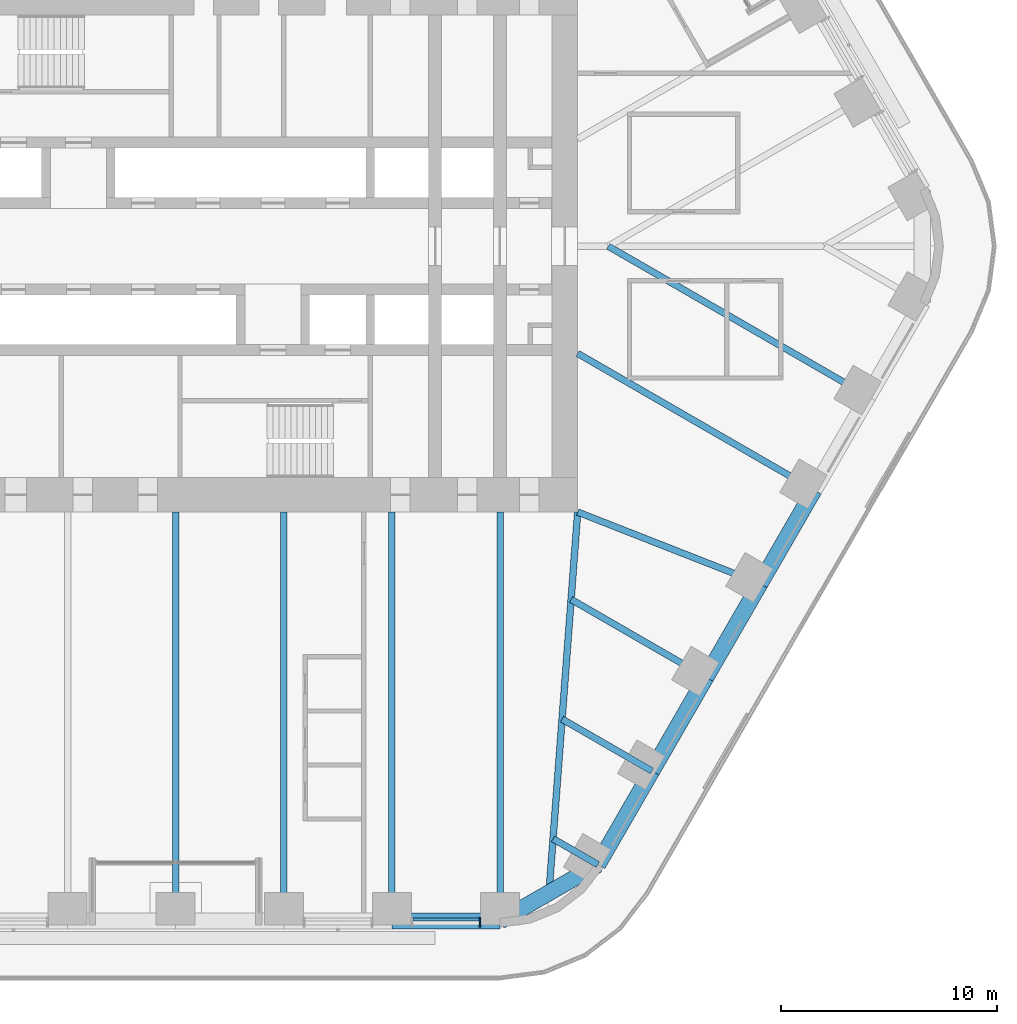
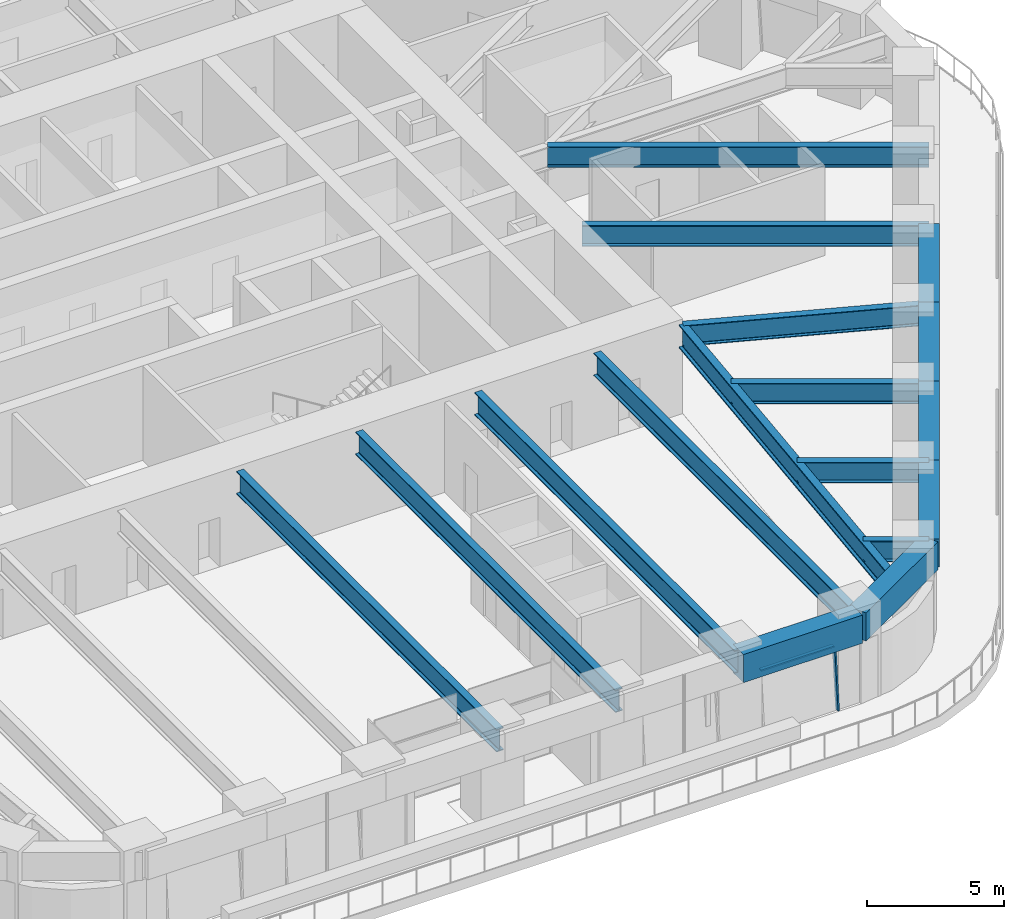
# One storey, part 5 of 24: 17 beams, 2 members, 1 element without a shape of its own.
"""IFC4 building model written with IfcOpenShell, lengths in metres."""

import ifcopenshell
import ifcopenshell.guid

model = None  # the IFC model being written
_history = None  # IfcOwnerHistory: only IFC2X3 demands one
_inside = {}  # id of a spatial element -> (the spatial element, [elements in it])
_under = {}  # id of a project, library or spatial element -> (it, [spatial elements below it])
_declared = {}  # id of a project -> (the project, [libraries it declares])
_typed = {}  # id of a type object -> (the type object, [elements of that type])
_made_of = {}  # id of a material, layer set ... -> (it, [elements and type objects made of it])


def new_model(schema):
    """Start an empty IFC model of exactly this schema.

    Asked for "IFC4X3", IfcOpenShell would pick the latest addendum, in which some entities
    have other attributes; the version numbers below select the first issue.
    IFC2X3 requires an IfcOwnerHistory on every rooted entity: one is made here for all.
    """
    global model, _history
    if schema == "IFC4X3":
        model = ifcopenshell.file(schema_version=(4, 3, 0, 0))
    else:
        model = ifcopenshell.file(schema=schema)
    _inside.clear()
    _under.clear()
    _declared.clear()
    _typed.clear()
    _made_of.clear()
    _history = None
    if model.schema == "IFC2X3":
        org = make("IfcOrganization", Name="unknown")
        user = make(
            "IfcPersonAndOrganization",
            ThePerson=make("IfcPerson", FamilyName="unknown"),
            TheOrganization=org,
        )
        app = make(
            "IfcApplication",
            ApplicationDeveloper=org,
            Version="unknown",
            ApplicationFullName="unknown",
            ApplicationIdentifier="unknown",
        )
        _history = make(
            "IfcOwnerHistory",
            OwningUser=user,
            OwningApplication=app,
            ChangeAction="ADDED",
            CreationDate=0,
        )
    return model


def make(cls, **values):
    """One entity of the class cls with the attributes given. An attribute that is None is left unset."""
    return model.create_entity(
        cls, **{name: value for name, value in values.items() if value is not None}
    )


def rooted(cls, **values):
    """An entity with a GlobalId (a new one), such as an element, a storey or a relation."""
    return make(cls, GlobalId=ifcopenshell.guid.new(), OwnerHistory=_history, **values)


def si_unit(unit_type, name, prefix=None):
    """IfcSIUnit, for example si_unit("LENGTHUNIT", "METRE", prefix="MILLI")."""
    return make("IfcSIUnit", UnitType=unit_type, Prefix=prefix, Name=name)


def assignment(units):
    """IfcUnitAssignment: the units of a project."""
    return None if units is None else make("IfcUnitAssignment", Units=units)


def point(xyz):
    """IfcCartesianPoint."""
    return None if xyz is None else make("IfcCartesianPoint", Coordinates=xyz)


def direction(xyz):
    """IfcDirection."""
    return None if xyz is None else make("IfcDirection", DirectionRatios=xyz)


def frame(location, z_axis=None, x_axis=None):
    """IfcAxis2Placement3D, a coordinate frame: its origin and axes. An axis left out is left unset."""
    return make(
        "IfcAxis2Placement3D",
        Location=point(location),
        Axis=direction(z_axis),
        RefDirection=direction(x_axis),
    )


def frame_2d(location, x_axis=None):
    """IfcAxis2Placement2D, a coordinate frame in the plane: its origin and x axis."""
    return make(
        "IfcAxis2Placement2D", Location=point(location), RefDirection=direction(x_axis)
    )


def origin():
    """The frame at (0, 0, 0) with its axes left unset."""
    return frame((0.0, 0.0, 0.0))


def origin_2d():
    """The frame at (0, 0) in the plane with its x axis left unset."""
    return frame_2d((0.0, 0.0))


def place(relative_to, where):
    """IfcLocalPlacement: puts the frame where relative to a parent placement (None: the world)."""
    return make(
        "IfcLocalPlacement", PlacementRelTo=relative_to, RelativePlacement=where
    )


def context(
    kind, dimensions, precision=None, world=None, true_north=None, identifier=None
):
    """IfcGeometricRepresentationContext, for example the 3D "Model" context."""
    return make(
        "IfcGeometricRepresentationContext",
        ContextIdentifier=identifier,
        ContextType=kind,
        CoordinateSpaceDimension=dimensions,
        Precision=precision,
        WorldCoordinateSystem=world,
        TrueNorth=true_north,
    )


def subcontext(parent, identifier, kind, view, scale=None):
    """IfcGeometricRepresentationSubContext, for example "Body" below "Model"."""
    return make(
        "IfcGeometricRepresentationSubContext",
        ContextIdentifier=identifier,
        ContextType=kind,
        ParentContext=parent,
        TargetScale=scale,
        TargetView=view,
    )


def project(units=None, contexts=None):
    """IfcProject with its units and contexts."""
    return rooted(
        "IfcProject",
        Name="project",
        RepresentationContexts=contexts,
        UnitsInContext=assignment(units),
    )


def spatial(cls, under=None, at=None, **own):
    """A site, building, storey or space (cls), placed at a placement, below another one or the project."""
    s = rooted(cls, ObjectPlacement=at, **own)
    if under is not None:
        _under.setdefault(under.id(), (under, []))[1].append(s)
    return s


def profile(cls, at=None, kind="AREA", **sizes):
    """A parametric profile (cls). Its sizes go by their IFC names, for example OverallWidth=200.0."""
    return make(cls, ProfileType=kind, Position=at, **sizes)


def rectangle(**sizes):
    """IfcRectangleProfileDef."""
    return profile("IfcRectangleProfileDef", **sizes)


def i_section(**sizes):
    """IfcIShapeProfileDef."""
    return profile("IfcIShapeProfileDef", **sizes)


def extrude(swept, where, along, depth):
    """IfcExtrudedAreaSolid: the profile swept, set in the frame where, extruded along a direction by depth."""
    return make(
        "IfcExtrudedAreaSolid",
        SweptArea=swept,
        Position=where,
        ExtrudedDirection=direction(along),
        Depth=depth,
    )


def shape(context_of_items, identifier, shape_type, items):
    """IfcShapeRepresentation: the items that make up one representation, for example the "Body"."""
    return make(
        "IfcShapeRepresentation",
        ContextOfItems=context_of_items,
        RepresentationIdentifier=identifier,
        RepresentationType=shape_type,
        Items=items,
    )


def material(Name=None, Category=None):
    """IfcMaterial."""
    return make("IfcMaterial", Name=Name, Category=Category)


def material_profile(
    of_material, cross_section, Name=None, Category=None, Priority=None
):
    """IfcMaterialProfile: a cross section and its material."""
    return make(
        "IfcMaterialProfile",
        Name=Name,
        Material=of_material,
        Profile=cross_section,
        Priority=Priority,
        Category=Category,
    )


def profile_set(profiles, Name=None, composite=None):
    """IfcMaterialProfileSet."""
    return make(
        "IfcMaterialProfileSet",
        Name=Name,
        MaterialProfiles=profiles,
        CompositeProfile=composite,
    )


def made_of(thing, what):
    """Note that an element or type object is made of a material, layer set ...; save() writes the relation."""
    if what is not None:
        _made_of.setdefault(what.id(), (what, []))[1].append(thing)
    return thing


def type_object(cls, material=None, **own):
    """A type object (cls), such as IfcWallType, which elements share."""
    return made_of(rooted(cls, **own), material)


def element(
    cls,
    number,
    at=None,
    inside=None,
    cuts=None,
    type_object=None,
    material=None,
    context=None,
    identifier="Body",
    shape_type=None,
    held_by="IfcProductDefinitionShape",
    body=None,
    shapes=None,
    **own,
):
    """One element of the class cls, such as IfcWall. Its Tag is "e" and its number.

    at: its placement. inside: the storey or other place that contains it. cuts: it is an
    opening in that element (IfcRelVoidsElement). A single representation is given by context,
    identifier, shape_type and body (its items); several are given by shapes. held_by: the class
    of the entity that holds the representations. save() writes the other relations.
    """
    e = rooted(cls, Tag="e%d" % number, ObjectPlacement=at, **own)
    if body is not None:
        shapes = [shape(context, identifier, shape_type, body)]
    if shapes is not None:
        e.Representation = make(held_by, Representations=shapes)
    if inside is not None:
        _inside.setdefault(inside.id(), (inside, []))[1].append(e)
    if cuts is not None:
        rooted(
            "IfcRelVoidsElement", RelatingBuildingElement=cuts, RelatedOpeningElement=e
        )
    if type_object is not None:
        _typed.setdefault(type_object.id(), (type_object, []))[1].append(e)
    return made_of(e, material)


def aggregate(whole, parts):
    """IfcRelAggregates: a whole, such as a stair, and the parts it consists of."""
    return rooted("IfcRelAggregates", RelatingObject=whole, RelatedObjects=parts)


def save(model, path):
    """Write the relations noted so far, then the file.

    IfcRelAggregates (storeys below a building ...), IfcRelContainedInSpatialStructure (elements
    in a storey), IfcRelDefinesByType, IfcRelAssociatesMaterial and IfcRelDeclares: one each for
    every whole, place, type object, material and project.
    """
    for whole, parts in _under.values():
        aggregate(whole, parts)
    for where, things in _inside.values():
        rooted(
            "IfcRelContainedInSpatialStructure",
            RelatedElements=things,
            RelatingStructure=where,
        )
    for kind, things in _typed.values():
        rooted("IfcRelDefinesByType", RelatedObjects=things, RelatingType=kind)
    for what, things in _made_of.values():
        rooted("IfcRelAssociatesMaterial", RelatedObjects=things, RelatingMaterial=what)
    for by, libraries in _declared.values():
        rooted("IfcRelDeclares", RelatingContext=by, RelatedDefinitions=libraries)
    model.write(path)


model = new_model("IFC4")

# Units and contexts
model_context = context("Model", 3, precision=1e-05, world=origin(), true_north=direction((0.0, 1.0)))
body_context = subcontext(model_context, "Body", "Model", "MODEL_VIEW")
ifc_project = project(units=[si_unit("LENGTHUNIT", "METRE"), si_unit("AREAUNIT", "SQUARE_METRE"), si_unit("VOLUMEUNIT", "CUBIC_METRE"), si_unit("PLANEANGLEUNIT", "RADIAN"), si_unit("MASSUNIT", "GRAM", prefix="KILO")], contexts=[model_context])

# Site, building, storey
site_placement = place(None, origin())
site = spatial("IfcSite", under=ifc_project, at=site_placement, CompositionType="ELEMENT")
building_placement = place(site_placement, origin())
building = spatial("IfcBuilding", under=site, at=building_placement, Name="Tarfa Lantern Tower", CompositionType="ELEMENT")
storey_placement = place(building_placement, frame((0.0, 0.0, 136.300048828125)))
storey = spatial("IfcBuildingStorey", under=building, at=storey_placement, Name="L30", CompositionType="ELEMENT", Elevation=136.300048828125)

# Curtain wall, members
ifc_material_1 = material(Name="Aluminium framed curtain wall", Category="aluminium")
curtain_wall_type = type_object("IfcCurtainWallType", Name="CW2 CANTED GLAZING MID ZONE 2750", PredefinedType="USERDEFINED", material=ifc_material_1)
curtain_wall_placement = place(storey_placement, origin())
curtain_wall = element("IfcCurtainWall", 1, at=curtain_wall_placement, inside=storey, type_object=curtain_wall_type, Name="CW2 SB L30", ObjectType="CURTAIN WALL", PredefinedType="USERDEFINED")
ifc_material_2 = material(Name="Aluminium mullion", Category="aluminium")
ifc_material_profile_1 = material_profile(ifc_material_2, rectangle(XDim=0.06494140625, YDim=0.199951171875, at=origin_2d()), Name="AL MULLION 65x200")
ifc_profile_set_1 = profile_set([ifc_material_profile_1], Name="Aluminium mullion")
member_type_1 = type_object("IfcMemberType", Name="CWM1 MULLION 65x200", PredefinedType="MULLION", material=ifc_profile_set_1)
member_1_placement = place(storey_placement, frame((14.07861328125, -31.39990234375, 0.0), z_axis=(0.0, 0.090535746043, 0.995893206468), x_axis=(-1.0, 0.0, 0.0)))
member_1 = element("IfcMember", 2, at=member_1_placement, type_object=member_type_1, Name="CW2 mullion 2", PredefinedType="MULLION", context=body_context, shape_type="SweptSolid", body=[
    extrude(rectangle(XDim=0.06494140625, YDim=0.199951171875, at=origin_2d()), origin(), (0.0, 0.0, 1.0), 2.76123046875),
])
ifc_material_3 = material(Name="Aluminium transom", Category="aluminium")
ifc_material_profile_2 = material_profile(ifc_material_3, rectangle(XDim=0.14990234375, YDim=0.06494140625, at=origin_2d()), Name="AL TRANSOM 150x65")
ifc_profile_set_2 = profile_set([ifc_material_profile_2], Name="Aluminium transom")
member_type_2 = type_object("IfcMemberType", Name="CWT1 TRANSOM 150x65", PredefinedType="USERDEFINED", material=ifc_profile_set_2)
member_2_placement = place(storey_placement, frame((10.972412109375, -31.153076171875, 2.717529296875), z_axis=(1.0, 0.0, 0.0), x_axis=(0.0, 1.0, 0.0)))
member_2 = element("IfcMember", 3, at=member_2_placement, type_object=member_type_2, Name="CW2 transom 1.2", ObjectType="TRANSOM", PredefinedType="USERDEFINED", context=body_context, shape_type="SweptSolid", body=[
    extrude(rectangle(XDim=0.14990234375, YDim=0.06494140625, at=origin_2d()), origin(), (0.0, 0.0, 1.0), 3.07373046875),
])
aggregate(curtain_wall, [member_1, member_2])

# Beams
ifc_material_4 = material(Name="Concrete C80/95", Category="concrete")
ifc_material_profile_3 = material_profile(ifc_material_4, rectangle(XDim=0.75, YDim=1.25, at=origin_2d()), Name="RC 750x1250")
ifc_profile_set_3 = profile_set([ifc_material_profile_3], Name="Concrete C80/95")
beam_type_1 = type_object("IfcBeamType", Name="EB2 RC 750x1250", PredefinedType="SPANDREL", material=ifc_profile_set_3)
beam_1_placement = place(storey_placement, frame((10.00732421875, -31.219970703125, 3.375), z_axis=(1.0, 0.0, 0.0), x_axis=(0.0, 1.0, 0.0)))
element("IfcBeam", 4, at=beam_1_placement, inside=storey, type_object=beam_type_1, Name="Edge beam S5", PredefinedType="SPANDREL", context=body_context, shape_type="SweptSolid", body=[
    extrude(rectangle(XDim=0.75, YDim=1.25, at=origin_2d()), origin(), (0.0, 0.0, 1.0), 5.003662109375),
])
beam_2_placement = place(storey_placement, frame((15.010986328125, -31.219970703125, 3.375), z_axis=(0.86604150238, 0.499972115377, 0.0), x_axis=(-0.499972115377, 0.86604150238, 0.0)))
element("IfcBeam", 5, at=beam_2_placement, inside=storey, type_object=beam_type_1, Name="Edge beam S6", PredefinedType="SPANDREL", context=body_context, shape_type="SweptSolid", body=[
    extrude(rectangle(XDim=0.75, YDim=1.25, at=origin_2d()), origin(), (0.0, 0.0, 1.0), 5.219970703125),
])
beam_3_placement = place(storey_placement, frame((19.53173828125, -28.610107421875, 3.375), z_axis=(0.500001197378, 0.866024712477, 0.0), x_axis=(-0.866024712477, 0.500001197378, 0.0)))
element("IfcBeam", 6, at=beam_3_placement, inside=storey, type_object=beam_type_1, Name="Edge beam SE0", PredefinedType="SPANDREL", context=body_context, shape_type="SweptSolid", body=[
    extrude(rectangle(XDim=0.75, YDim=1.25, at=origin_2d()), origin(), (0.0, 0.0, 1.0), 5.00390625),
])
for number, where, z_axis, x_axis, name in (
    (7, (22.03369140625, -24.276611328125, 3.375), (0.49998573051, 0.866033642122, 0.0), (-0.866033642122, 0.49998573051, 0.0), "Edge beam SE1"),
    (8, (24.535400390625, -19.943359375, 3.375), (0.500022324899, 0.866012514114, 0.0), (-0.866012514114, 0.500022324899, 0.0), "Edge beam SE2"),
    (9, (27.037353515625, -15.610107421875, 3.375), (0.499964603504, 0.866045838996, 0.0), (-0.866045838996, 0.499964603504, 0.0), "Edge beam SE3"),
):
    element("IfcBeam", number, at=place(storey_placement, frame(where, z_axis=z_axis, x_axis=x_axis)), inside=storey, type_object=beam_type_1, Name=name, PredefinedType="SPANDREL", context=body_context, shape_type="SweptSolid", body=[
        extrude(rectangle(XDim=0.75, YDim=1.25, at=origin_2d()), origin(), (0.0, 0.0, 1.0), 5.003662109375),
    ])
ifc_material_5 = material(Name="Steel S460M", Category="steel")
ifc_material_profile_4 = material_profile(ifc_material_5, i_section(OverallWidth=0.302001953125, OverallDepth=1.008056640625, WebThickness=0.02099609375, FlangeThickness=0.0400390625, FilletRadius=0.030029296875, at=origin_2d()), Name="UB1016x305x349")
ifc_profile_set_4 = profile_set([ifc_material_profile_4], Name="Steel S460M")
beam_type_2 = type_object("IfcBeamType", Name="UB1016x305x349", PredefinedType="BEAM", material=ifc_profile_set_4)
for number, where, z_axis, x_axis, name in (
    (10, (0.0, -31.219970703125, 3.495849609375), (0.0, 1.0, 0.0), (-1.0, 0.0, 0.0), "Floor beam S3"),
    (11, (5.003662109375, -31.219970703125, 3.495849609375), (0.0, 1.0, 0.0), (-1.0, 0.0, 0.0), "Floor beam S4"),
    (12, (10.00732421875, -31.219970703125, 3.495849609375), (0.0, 1.0, 0.0), (-1.0, 0.0, 0.0), "Floor beam S5"),
    (13, (15.010986328125, -31.219970703125, 3.495849609375), (0.0, 1.0, 0.0), (-1.0, 0.0, 0.0), "Floor beam S6"),
):
    element("IfcBeam", number, at=place(storey_placement, frame(where, z_axis=z_axis, x_axis=x_axis)), inside=storey, type_object=beam_type_2, Name=name, PredefinedType="BEAM", context=body_context, shape_type="SweptSolid", body=[
        extrude(i_section(OverallWidth=0.302001953125, OverallDepth=1.008056640625, WebThickness=0.02099609375, FlangeThickness=0.0400390625, FilletRadius=0.030029296875, at=origin_2d()), origin(), (0.0, 0.0, 1.0), 18.919921875),
    ])
ifc_material_profile_5 = material_profile(ifc_material_5, i_section(OverallWidth=0.30859375, OverallDepth=1.036376953125, WebThickness=0.030029296875, FlangeThickness=0.05419921875, FilletRadius=0.030029296875, at=origin_2d()), Name="UB1016x305x487")
ifc_profile_set_5 = profile_set([ifc_material_profile_5], Name="Steel S460M")
beam_type_3 = type_object("IfcBeamType", Name="UB1016x305x487", PredefinedType="BEAM", material=ifc_profile_set_5)
beam_4_placement = place(storey_placement, frame((18.60009765625, -12.300048828125, 3.481689453125), z_axis=(-0.075211516041, -0.99716760269, 0.0), x_axis=(0.99716760269, -0.075211516041, 0.0)))
element("IfcBeam", 14, at=beam_4_placement, inside=storey, type_object=beam_type_3, Name="Hip girder SE", PredefinedType="BEAM", context=body_context, shape_type="SweptSolid", body=[
    extrude(i_section(OverallWidth=0.30859375, OverallDepth=1.036376953125, WebThickness=0.030029296875, FlangeThickness=0.05419921875, FilletRadius=0.030029296875, at=origin_2d()), origin(), (0.0, 0.0, 1.0), 17.6650390625),
])
ifc_material_profile_6 = material_profile(ifc_material_5, i_section(OverallWidth=0.305419921875, OverallDepth=0.91845703125, WebThickness=0.017333984375, FlangeThickness=0.02783203125, FilletRadius=0.01904296875, at=origin_2d()), Name="UB914x305x253")
ifc_profile_set_6 = profile_set([ifc_material_profile_6], Name="Steel S460M")
beam_type_4 = type_object("IfcBeamType", Name="UB914x305x253", PredefinedType="BEAM", material=ifc_profile_set_6)
beam_5_placement = place(storey_placement, frame((19.53173828125, -28.610107421875, 3.540771484375), z_axis=(-0.865998640954, 0.500046351717, 0.0), x_axis=(-0.500046351717, -0.865998640954, 0.0)))
element("IfcBeam", 15, at=beam_5_placement, inside=storey, type_object=beam_type_4, Name="Floor beam SE0", PredefinedType="BEAM", context=body_context, shape_type="SweptSolid", body=[
    extrude(i_section(OverallWidth=0.305419921875, OverallDepth=0.91845703125, WebThickness=0.017333984375, FlangeThickness=0.02783203125, FilletRadius=0.01904296875, at=origin_2d()), origin(), (0.0, 0.0, 1.0), 2.392333984375),
])
beam_6_placement = place(storey_placement, frame((22.03369140625, -24.276611328125, 3.540771484375), z_axis=(-0.866030550462, 0.499991085587, 0.0), x_axis=(-0.499991085587, -0.866030550462, 0.0)))
element("IfcBeam", 16, at=beam_6_placement, inside=storey, type_object=beam_type_4, Name="Floor beam SE1", PredefinedType="BEAM", context=body_context, shape_type="SweptSolid", body=[
    extrude(i_section(OverallWidth=0.305419921875, OverallDepth=0.91845703125, WebThickness=0.017333984375, FlangeThickness=0.02783203125, FilletRadius=0.01904296875, at=origin_2d()), origin(), (0.0, 0.0, 1.0), 4.798828125),
])
beam_7_placement = place(storey_placement, frame((24.535400390625, -19.943359375, 3.540771484375), z_axis=(-0.86602647304, 0.499998147991, 0.0), x_axis=(-0.499998147991, -0.86602647304, 0.0)))
element("IfcBeam", 17, at=beam_7_placement, inside=storey, type_object=beam_type_4, Name="Floor beam SE2", PredefinedType="BEAM", context=body_context, shape_type="SweptSolid", body=[
    extrude(i_section(OverallWidth=0.305419921875, OverallDepth=0.91845703125, WebThickness=0.017333984375, FlangeThickness=0.02783203125, FilletRadius=0.01904296875, at=origin_2d()), origin(), (0.0, 0.0, 1.0), 7.20556640625),
])
beam_8_placement = place(storey_placement, frame((27.037353515625, -15.610107421875, 3.540771484375), z_axis=(-0.930923282782, 0.365214788274, 0.0), x_axis=(-0.365214788274, -0.930923282782, 0.0)))
element("IfcBeam", 18, at=beam_8_placement, inside=storey, type_object=beam_type_4, Name="Floor beam SE3", PredefinedType="BEAM", context=body_context, shape_type="SweptSolid", body=[
    extrude(i_section(OverallWidth=0.305419921875, OverallDepth=0.91845703125, WebThickness=0.017333984375, FlangeThickness=0.02783203125, FilletRadius=0.01904296875, at=origin_2d()), origin(), (0.0, 0.0, 1.0), 9.063232421875),
])
beam_9_placement = place(storey_placement, frame((29.5390625, -11.276611328125, 3.540771484375), z_axis=(-0.866023362995, 0.500003534735, 0.0), x_axis=(-0.500003534735, -0.866023362995, 0.0)))
element("IfcBeam", 19, at=beam_9_placement, inside=storey, type_object=beam_type_4, Name="Floor beam SE4", PredefinedType="BEAM", context=body_context, shape_type="SweptSolid", body=[
    extrude(i_section(OverallWidth=0.305419921875, OverallDepth=0.91845703125, WebThickness=0.017333984375, FlangeThickness=0.02783203125, FilletRadius=0.01904296875, at=origin_2d()), origin(), (0.0, 0.0, 1.0), 12.63134765625),
])
beam_10_placement = place(storey_placement, frame((32.041015625, -6.943359375, 3.540771484375), z_axis=(-0.866023096411, 0.500003996466, 0.0), x_axis=(-0.500003996466, -0.866023096411, 0.0)))
element("IfcBeam", 20, at=beam_10_placement, inside=storey, type_object=beam_type_4, Name="Floor beam SE5", PredefinedType="BEAM", context=body_context, shape_type="SweptSolid", body=[
    extrude(i_section(OverallWidth=0.305419921875, OverallDepth=0.91845703125, WebThickness=0.017333984375, FlangeThickness=0.02783203125, FilletRadius=0.01904296875, at=origin_2d()), origin(), (0.0, 0.0, 1.0), 13.88671875),
])

save(model, "model.ifc")
